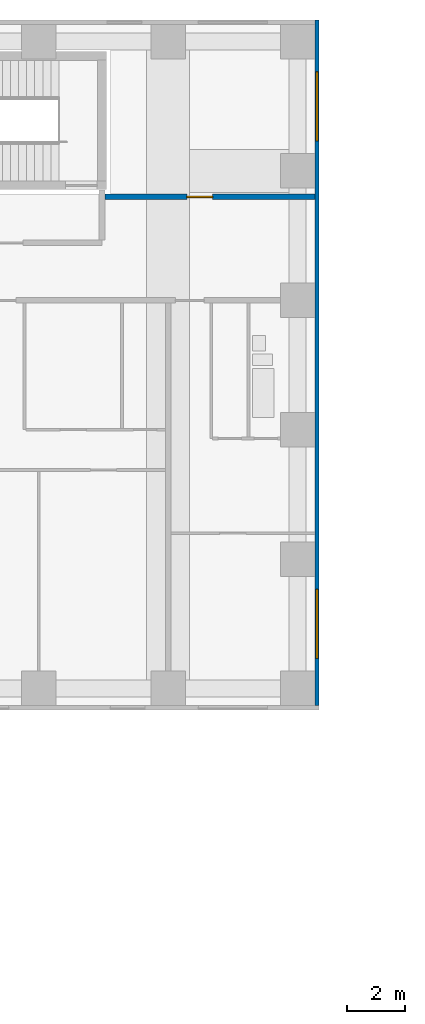
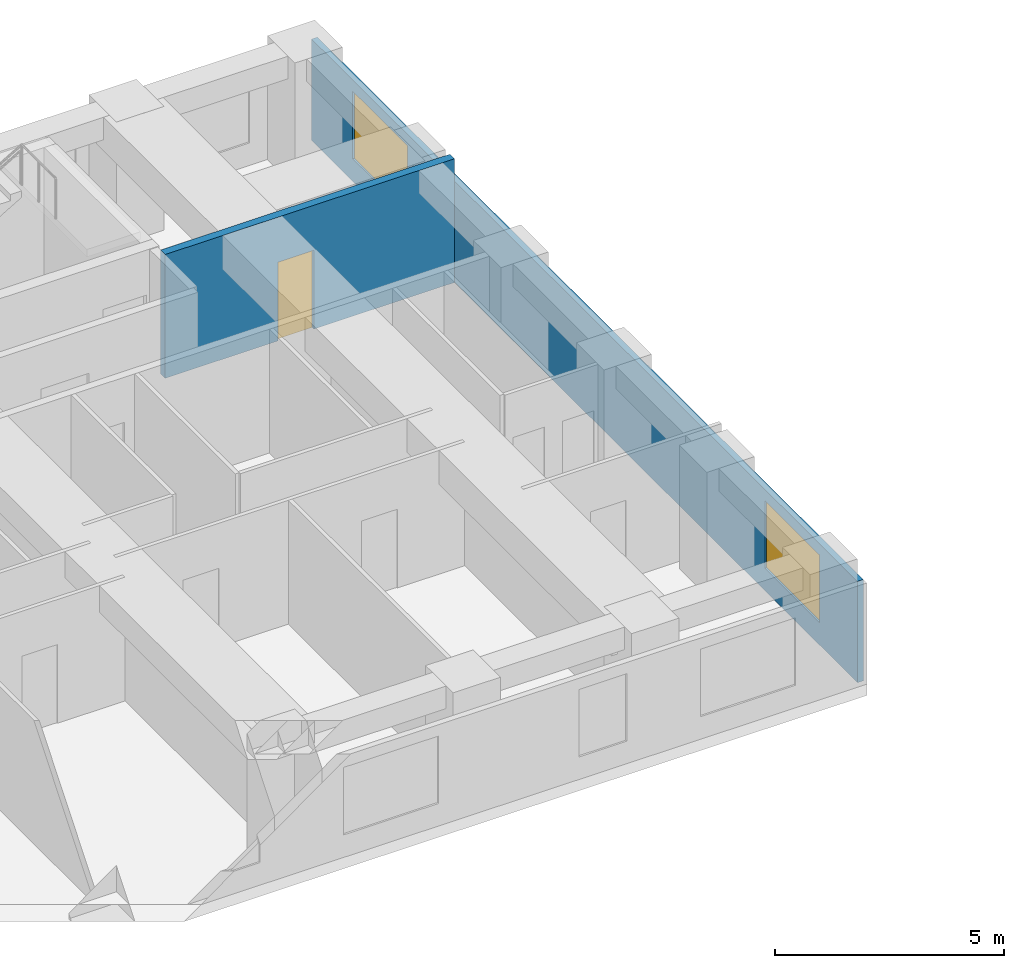
# One storey, part 9 of 12: 2 walls, 2 windows, 1 door, 3 openings.
"""IFC4 building model written with IfcOpenShell, lengths in metres."""

from ifc_helpers import new_model, si_unit, direction, frame, frame_2d, origin, place, context, subcontext, project, spatial, rectangle, extrude, material, layer, layer_set, type_object, element, fill, save


model = new_model("IFC4")

# Units and contexts
model_context = context("Model", 3, precision=1e-05, world=origin(), true_north=direction((0.0, 1.0)))
body_context = subcontext(model_context, "Body", "Model", "MODEL_VIEW")
ifc_project = project(units=[si_unit("LENGTHUNIT", "METRE"), si_unit("AREAUNIT", "SQUARE_METRE"), si_unit("VOLUMEUNIT", "CUBIC_METRE"), si_unit("PLANEANGLEUNIT", "RADIAN"), si_unit("MASSUNIT", "GRAM", prefix="KILO")], contexts=[model_context])

# Site, building, storey
site_placement = place(None, origin())
site = spatial("IfcSite", under=ifc_project, at=site_placement, CompositionType="ELEMENT")
building_placement = place(site_placement, origin())
building = spatial("IfcBuilding", under=site, at=building_placement, Name="Firuza Court", CompositionType="ELEMENT")
storey_placement = place(building_placement, frame((0.0, 0.0, 36.199951171875)))
storey = spatial("IfcBuildingStorey", under=building, at=storey_placement, Name="L07", CompositionType="ELEMENT", Elevation=36.199951171875)

# Wall, opening, door
ifc_material_1 = material(Name="Blockwork, plastered both sides", Category="masonry")
ifc_layer_1 = layer(ifc_material_1, 0.199951171875)
ifc_layer_set_1 = layer_set([ifc_layer_1], Name="Blockwork, plastered both sides")
wall_type_1 = type_object("IfcWallType", Name="Corridor wall 200", PredefinedType="PARTITIONING", material=ifc_layer_set_1)
wall_1_placement = place(storey_placement, frame((60.800048828125, 53.10009765625, 0.0), z_axis=(0.0, 0.0, 1.0), x_axis=(1.0, 0.0, 0.0)))
wall_1 = element("IfcWall", 1, at=wall_1_placement, inside=storey, type_object=wall_type_1, Name="Corridor wall 200 L07", PredefinedType="PARTITIONING", context=body_context, shape_type="SweptSolid", body=[
    extrude(rectangle(XDim=7.300048828125, YDim=0.199951171875, at=frame_2d((3.64990234375, 0.0))), origin(), (0.0, 0.0, 1.0), 3.300048828125),
])
opening_1_placement = place(wall_1_placement, frame((2.85009765625, 0.0, 0.0)))
opening_1 = element("IfcOpeningElement", 2, at=opening_1_placement, cuts=wall_1, Name="Opening D07074", PredefinedType="OPENING", context=body_context, shape_type="SweptSolid", body=[
    extrude(rectangle(XDim=0.89990234375, YDim=2.10009765625, at=frame_2d((0.449951171875, 1.050048828125))), frame((0.0, 0.11181640625, 0.0), z_axis=(0.0, -1.0, 0.0), x_axis=(1.0, 0.0, 0.0)), (0.0, 0.0, 1.0), 0.223876953125),
])
ifc_material_2 = material(Name="Timber door leaf in hardwood frame", Category="wood")
door_type = type_object("IfcDoorType", Name="Room door 900 EI 30", OperationType="SINGLE_SWING_LEFT", PredefinedType="DOOR", material=ifc_material_2)
door_placement = place(opening_1_placement, origin())
door = element("IfcDoor", 3, at=door_placement, inside=storey, type_object=door_type, Name="Meeting room door", OperationType="SINGLE_SWING_LEFT", OverallHeight=2.10009765625, OverallWidth=0.89990234375, PredefinedType="DOOR", context=body_context, shape_type="SweptSolid", body=[
    extrude(rectangle(XDim=0.89990234375, YDim=2.10009765625, at=frame_2d((0.449951171875, 1.050048828125))), frame((0.0, 0.02490234375, 0.0), z_axis=(0.0, -1.0, 0.0), x_axis=(1.0, 0.0, 0.0)), (0.0, 0.0, 1.0), 0.050048828125),
])
fill(opening_1, door)

# Wall, openings, windows
ifc_material_3 = material(Name="Ceramic tile", Category="ceramic")
ifc_layer_2 = layer(ifc_material_3, 0.02001953125)
ifc_material_4 = material(Name="Mineral wool insulation", Category="insulation")
ifc_layer_3 = layer(ifc_material_4, 0.050048828125)
ifc_material_5 = material(Name="Concrete C40/50 precast", Category="concrete")
ifc_layer_4 = layer(ifc_material_5, 0.080078125)
ifc_layer_set_2 = layer_set([ifc_layer_2, ifc_layer_3, ifc_layer_4], Name="Concrete C40/50 precast")
wall_type_2 = type_object("IfcWallType", Name="Precast cladding wall with turquoise TILE PANEL face 150", PredefinedType="STANDARD", material=ifc_layer_set_2)
wall_2_placement = place(storey_placement, frame((68.175048828125, 35.39990234375, 0.0), z_axis=(0.0, 0.0, 1.0), x_axis=(0.0, 1.0, 0.0)))
wall_2 = element("IfcWall", 4, at=wall_2_placement, inside=storey, type_object=wall_type_2, Name="Facade wall L07 E", PredefinedType="STANDARD", context=body_context, shape_type="SweptSolid", body=[
    extrude(rectangle(XDim=23.85009765625, YDim=0.14990234375, at=frame_2d((11.925048828125, 0.0))), origin(), (0.0, 0.0, 1.0), 2.699951171875),
])
opening_2_placement = place(wall_2_placement, frame((1.64990234375, 0.0, 0.60009765625)))
opening_2 = element("IfcOpeningElement", 5, at=opening_2_placement, cuts=wall_2, Name="Opening W1", PredefinedType="OPENING", context=body_context, shape_type="SweptSolid", body=[
    extrude(rectangle(XDim=2.39990234375, YDim=1.800048828125, at=frame_2d((1.199951171875, 0.89990234375))), frame((0.0, 0.0869140625, 0.0), z_axis=(0.0, -1.0, 0.0), x_axis=(1.0, 0.0, 0.0)), (0.0, 0.0, 1.0), 0.173828125),
])
opening_3_placement = place(wall_2_placement, frame((19.64990234375, 0.0, 0.60009765625)))
opening_3 = element("IfcOpeningElement", 6, at=opening_3_placement, cuts=wall_2, Name="Opening W1", PredefinedType="OPENING", context=body_context, shape_type="SweptSolid", body=[
    extrude(rectangle(XDim=2.39990234375, YDim=1.800048828125, at=frame_2d((1.199951171875, 0.89990234375))), frame((0.0, 0.0869140625, 0.0), z_axis=(0.0, -1.0, 0.0), x_axis=(1.0, 0.0, 0.0)), (0.0, 0.0, 1.0), 0.173828125),
])
ifc_material_6 = material(Name="Aluminium frame, triple clear glazing", Category="aluminium")
window_type = type_object("IfcWindowType", Name="Window W1 2400 x 1800", PartitioningType="SINGLE_PANEL", PredefinedType="WINDOW", material=ifc_material_6)
window_1_placement = place(opening_2_placement, origin())
window_1 = element("IfcWindow", 7, at=window_1_placement, inside=storey, type_object=window_type, Name="Window L07", OverallHeight=1.800048828125, OverallWidth=2.39990234375, PartitioningType="SINGLE_PANEL", PredefinedType="WINDOW", context=body_context, shape_type="SweptSolid", body=[
    extrude(rectangle(XDim=2.39990234375, YDim=1.800048828125, at=frame_2d((1.199951171875, 0.89990234375))), frame((0.0, 0.030029296875, 0.0), z_axis=(0.0, -1.0, 0.0), x_axis=(1.0, 0.0, 0.0)), (0.0, 0.0, 1.0), 0.06005859375),
])
fill(opening_2, window_1)
window_2_placement = place(opening_3_placement, origin())
window_2 = element("IfcWindow", 8, at=window_2_placement, inside=storey, type_object=window_type, Name="Window L07", OverallHeight=1.800048828125, OverallWidth=2.39990234375, PartitioningType="SINGLE_PANEL", PredefinedType="WINDOW", context=body_context, shape_type="SweptSolid", body=[
    extrude(rectangle(XDim=2.39990234375, YDim=1.800048828125, at=frame_2d((1.199951171875, 0.89990234375))), frame((0.0, 0.030029296875, 0.0), z_axis=(0.0, -1.0, 0.0), x_axis=(1.0, 0.0, 0.0)), (0.0, 0.0, 1.0), 0.06005859375),
])
fill(opening_3, window_2)

save(model, "model.ifc")
